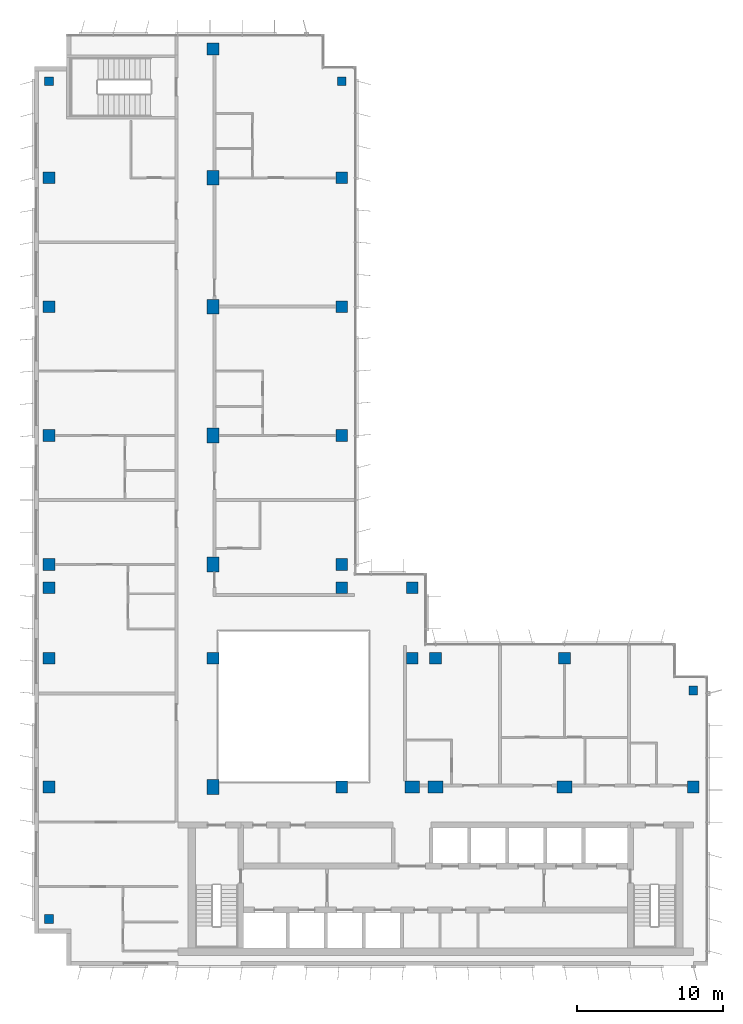
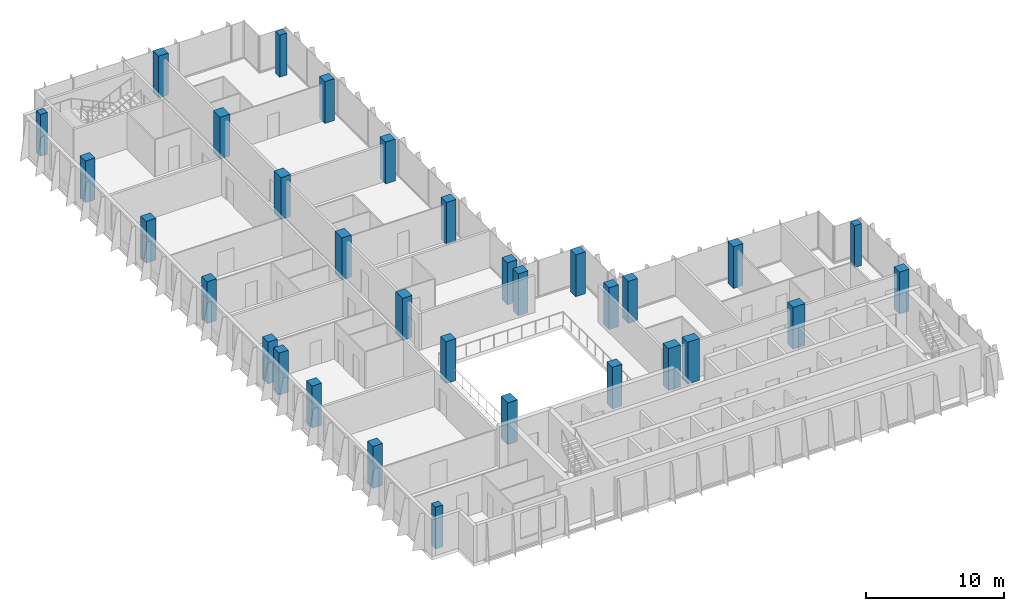
# One storey, part 1 of 15: 32 columns.
"""IFC4 building model written with IfcOpenShell, lengths in metres."""

from ifc_helpers import new_model, si_unit, direction, frame, origin, origin_2d, place, context, subcontext, project, spatial, rectangle, extrude, material, material_profile, profile_set, type_object, element, save


model = new_model("IFC4")

# Units and contexts
model_context = context("Model", 3, precision=1e-05, world=origin(), true_north=direction((0.0, 1.0)))
body_context = subcontext(model_context, "Body", "Model", "MODEL_VIEW")
ifc_project = project(units=[si_unit("LENGTHUNIT", "METRE"), si_unit("AREAUNIT", "SQUARE_METRE"), si_unit("VOLUMEUNIT", "CUBIC_METRE"), si_unit("PLANEANGLEUNIT", "RADIAN"), si_unit("MASSUNIT", "GRAM", prefix="KILO")], contexts=[model_context])

# Site, building, storey
site_placement = place(None, origin())
site = spatial("IfcSite", under=ifc_project, at=site_placement, CompositionType="ELEMENT")
building_placement = place(site_placement, origin())
building = spatial("IfcBuilding", under=site, at=building_placement, Name="Kemantara Hotel Tower", CompositionType="ELEMENT")
storey_placement = place(building_placement, frame((0.0, 0.0, 305.5)))
storey = spatial("IfcBuildingStorey", under=building, at=storey_placement, Name="L77", CompositionType="ELEMENT", Elevation=305.5)

# Columns
ifc_material = material(Name="Concrete fc 50 MPa", Category="concrete")
ifc_material_profile_1 = material_profile(ifc_material, rectangle(XDim=1.0, YDim=0.800048828125, at=origin_2d()), Name="RC 1000X800")
ifc_profile_set_1 = profile_set([ifc_material_profile_1], Name="Concrete fc 50 MPa")
column_type_1 = type_object("IfcColumnType", Name="RC COLUMN 1000X800 FC50", PredefinedType="COLUMN", material=ifc_profile_set_1)
for number, where, z_axis, x_axis, name in (
    (1, (12.199951171875, 12.199951171875, 0.0), (0.0, 0.0, 1.0), (0.0, 1.0, 0.0), "COLUMN 2A/BA L77"),
    (2, (12.199951171875, 27.39990234375, 0.0), (0.0, 0.0, 1.0), (0.0, 1.0, 0.0), "COLUMN 2A/D L77"),
    (3, (12.199951171875, 36.199951171875, 0.0), (0.0, 0.0, 1.0), (0.0, 1.0, 0.0), "COLUMN 2A/E L77"),
    (4, (12.199951171875, 45.0, 0.0), (0.0, 0.0, 1.0), (0.0, 1.0, 0.0), "COLUMN 2A/F L77"),
    (5, (12.199951171875, 53.800048828125, 0.0), (0.0, 0.0, 1.0), (0.0, 1.0, 0.0), "COLUMN 2A/G L77"),
    (6, (25.800048828125, 12.199951171875, 0.0), (0.0, 0.0, 1.0), (1.0, 0.0, 0.0), "COLUMN 3A/BA L77"),
    (7, (27.39990234375, 12.199951171875, 0.0), (0.0, 0.0, 1.0), (1.0, 0.0, 0.0), "COLUMN 4/BA L77"),
    (8, (36.199951171875, 12.199951171875, 0.0), (0.0, 0.0, 1.0), (1.0, 0.0, 0.0), "COLUMN 5/BA L77"),
):
    element("IfcColumn", number, at=place(storey_placement, frame(where, z_axis=z_axis, x_axis=x_axis)), inside=storey, type_object=column_type_1, Name=name, PredefinedType="COLUMN", context=body_context, shape_type="SweptSolid", body=[
        extrude(rectangle(XDim=1.0, YDim=0.800048828125, at=origin_2d()), origin(), (0.0, 0.0, 1.0), 3.699951171875),
    ])
ifc_material_profile_2 = material_profile(ifc_material, rectangle(XDim=0.60009765625, YDim=0.60009765625, at=origin_2d()), Name="RC 600X600")
ifc_profile_set_2 = profile_set([ifc_material_profile_2], Name="Concrete fc 50 MPa")
column_type_2 = type_object("IfcColumnType", Name="RC COLUMN 600X600 FC50", PredefinedType="COLUMN", material=ifc_profile_set_2)
for number, where, z_axis, x_axis, name in (
    (9, (1.0, 3.199951171875, 0.0), (0.0, 0.0, 1.0), (1.0, 0.0, 0.0), "COLUMN notch corner L77"),
    (10, (1.0, 60.39990234375, 0.0), (0.0, 0.0, 1.0), (1.0, 0.0, 0.0), "COLUMN notch corner L77"),
    (11, (21.0, 60.39990234375, 0.0), (0.0, 0.0, 1.0), (1.0, 0.0, 0.0), "COLUMN notch corner L77"),
    (12, (45.0, 18.800048828125, 0.0), (0.0, 0.0, 1.0), (1.0, 0.0, 0.0), "COLUMN notch corner L77"),
):
    element("IfcColumn", number, at=place(storey_placement, frame(where, z_axis=z_axis, x_axis=x_axis)), inside=storey, type_object=column_type_2, Name=name, PredefinedType="COLUMN", context=body_context, shape_type="SweptSolid", body=[
        extrude(rectangle(XDim=0.60009765625, YDim=0.60009765625, at=origin_2d()), origin(), (0.0, 0.0, 1.0), 3.699951171875),
    ])
ifc_material_profile_3 = material_profile(ifc_material, rectangle(XDim=0.800048828125, YDim=0.800048828125, at=origin_2d()), Name="RC 800X800")
ifc_profile_set_3 = profile_set([ifc_material_profile_3], Name="Concrete fc 50 MPa")
column_type_3 = type_object("IfcColumnType", Name="RC COLUMN 800X800 FC50", PredefinedType="COLUMN", material=ifc_profile_set_3)
for number, where, z_axis, x_axis, name in (
    (13, (1.0, 12.199951171875, 0.0), (0.0, 0.0, 1.0), (1.0, 0.0, 0.0), "COLUMN 1/BA L77"),
    (14, (1.0, 21.0, 0.0), (0.0, 0.0, 1.0), (1.0, 0.0, 0.0), "COLUMN 1/C L77"),
    (15, (1.0, 25.800048828125, 0.0), (0.0, 0.0, 1.0), (1.0, 0.0, 0.0), "COLUMN 1/CA L77"),
    (16, (1.0, 27.39990234375, 0.0), (0.0, 0.0, 1.0), (1.0, 0.0, 0.0), "COLUMN 1/D L77"),
    (17, (1.0, 36.199951171875, 0.0), (0.0, 0.0, 1.0), (1.0, 0.0, 0.0), "COLUMN 1/E L77"),
    (18, (1.0, 45.0, 0.0), (0.0, 0.0, 1.0), (1.0, 0.0, 0.0), "COLUMN 1/F L77"),
    (19, (1.0, 53.800048828125, 0.0), (0.0, 0.0, 1.0), (1.0, 0.0, 0.0), "COLUMN 1/G L77"),
    (20, (12.199951171875, 21.0, 0.0), (0.0, 0.0, 1.0), (1.0, 0.0, 0.0), "COLUMN 2A/C L77"),
    (21, (12.199951171875, 62.60009765625, 0.0), (0.0, 0.0, 1.0), (1.0, 0.0, 0.0), "COLUMN 2A/H L77"),
    (22, (21.0, 12.199951171875, 0.0), (0.0, 0.0, 1.0), (1.0, 0.0, 0.0), "COLUMN 3/BA L77"),
    (23, (21.0, 25.800048828125, 0.0), (0.0, 0.0, 1.0), (1.0, 0.0, 0.0), "COLUMN 3/CA L77"),
    (24, (21.0, 27.39990234375, 0.0), (0.0, 0.0, 1.0), (1.0, 0.0, 0.0), "COLUMN 3/D L77"),
    (25, (21.0, 36.199951171875, 0.0), (0.0, 0.0, 1.0), (1.0, 0.0, 0.0), "COLUMN 3/E L77"),
    (26, (21.0, 45.0, 0.0), (0.0, 0.0, 1.0), (1.0, 0.0, 0.0), "COLUMN 3/F L77"),
    (27, (21.0, 53.800048828125, 0.0), (0.0, 0.0, 1.0), (1.0, 0.0, 0.0), "COLUMN 3/G L77"),
    (28, (25.800048828125, 21.0, 0.0), (0.0, 0.0, 1.0), (1.0, 0.0, 0.0), "COLUMN 3A/C L77"),
    (29, (25.800048828125, 25.800048828125, 0.0), (0.0, 0.0, 1.0), (1.0, 0.0, 0.0), "COLUMN 3A/CA L77"),
    (30, (27.39990234375, 21.0, 0.0), (0.0, 0.0, 1.0), (1.0, 0.0, 0.0), "COLUMN 4/C L77"),
    (31, (36.199951171875, 21.0, 0.0), (0.0, 0.0, 1.0), (1.0, 0.0, 0.0), "COLUMN 5/C L77"),
    (32, (45.0, 12.199951171875, 0.0), (0.0, 0.0, 1.0), (1.0, 0.0, 0.0), "COLUMN 6/BA L77"),
):
    element("IfcColumn", number, at=place(storey_placement, frame(where, z_axis=z_axis, x_axis=x_axis)), inside=storey, type_object=column_type_3, Name=name, PredefinedType="COLUMN", context=body_context, shape_type="SweptSolid", body=[
        extrude(rectangle(XDim=0.800048828125, YDim=0.800048828125, at=origin_2d()), origin(), (0.0, 0.0, 1.0), 3.699951171875),
    ])

save(model, "model.ifc")
